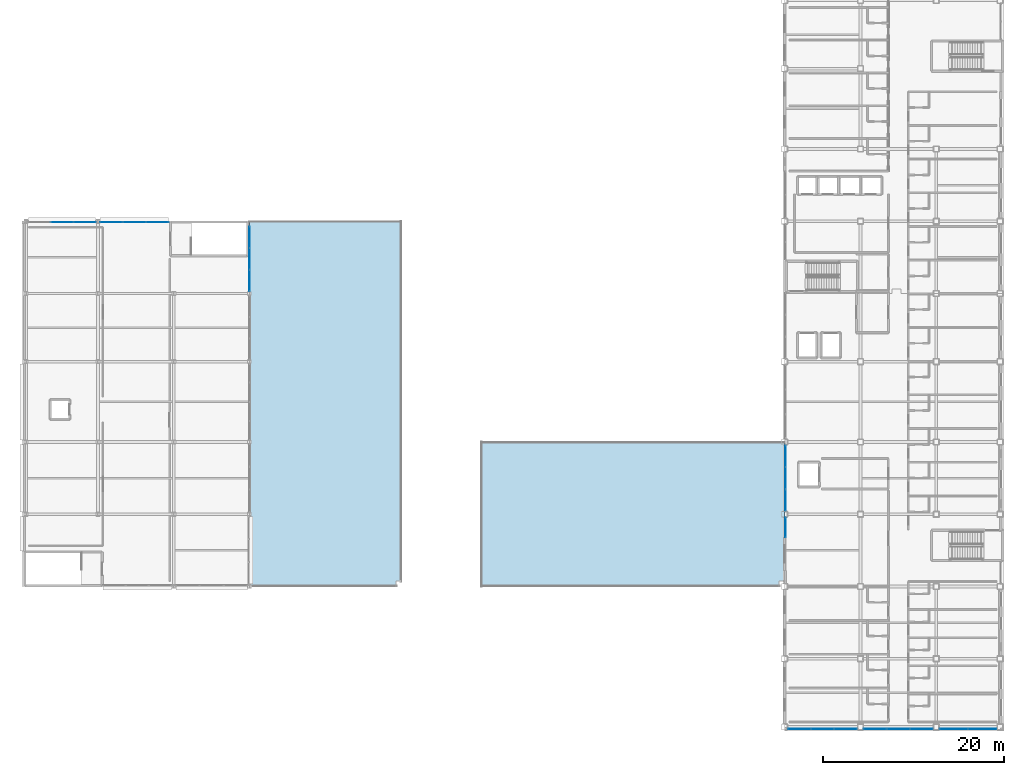
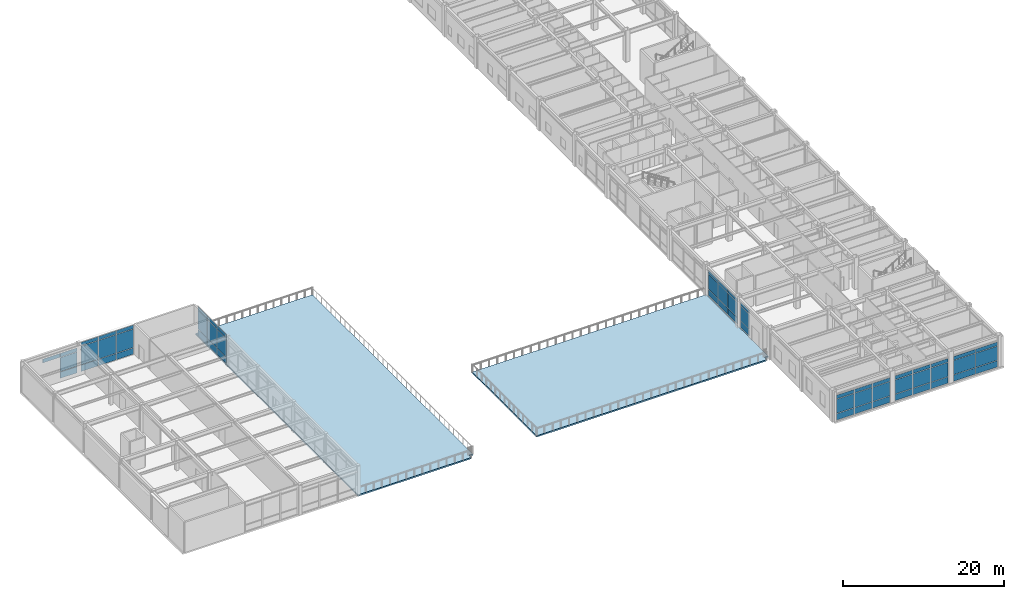
# One storey, part 45 of 61: 58 plates, 2 slabs, 8 elements without a shape of their own.
"""IFC4 building model written with IfcOpenShell, lengths in metres."""

from ifc_helpers import new_model, si_unit, direction, frame, origin, origin_2d, place, context, subcontext, project, spatial, polyline, rectangle, outline, extrude, material, layer, layer_set, type_object, element, aggregate, save


model = new_model("IFC4")

# Units and contexts
model_context = context("Model", 3, precision=1e-05, world=origin(), true_north=direction((0.0, 1.0)))
body_context = subcontext(model_context, "Body", "Model", "MODEL_VIEW")
ifc_project = project(units=[si_unit("LENGTHUNIT", "METRE"), si_unit("AREAUNIT", "SQUARE_METRE"), si_unit("VOLUMEUNIT", "CUBIC_METRE"), si_unit("PLANEANGLEUNIT", "RADIAN"), si_unit("MASSUNIT", "GRAM", prefix="KILO")], contexts=[model_context])

# Site, building, storey
site_placement = place(None, origin())
site = spatial("IfcSite", under=ifc_project, at=site_placement, CompositionType="ELEMENT")
building_placement = place(site_placement, origin())
building = spatial("IfcBuilding", under=site, at=building_placement, Name="Kazehara Bluff Congress Hotel", CompositionType="ELEMENT")
storey_placement = place(building_placement, frame((0.0, 0.0, 19.800048828125)))
storey = spatial("IfcBuildingStorey", under=building, at=storey_placement, Name="L04", CompositionType="ELEMENT", Elevation=19.800048828125)

# Curtain wall, plates
ifc_material_1 = material(Name="Anodised aluminium", Category="aluminium")
ifc_layer_1 = layer(ifc_material_1, 0.159912109375)
ifc_layer_set_1 = layer_set([ifc_layer_1], Name="Anodised aluminium")
curtain_wall_type_1 = type_object("IfcCurtainWallType", Name="TP-CW-156", PredefinedType="NOTDEFINED", material=ifc_layer_set_1)
curtain_wall_1_placement = place(storey_placement, origin())
curtain_wall_1 = element("IfcCurtainWall", 1, at=curtain_wall_1_placement, inside=storey, type_object=curtain_wall_type_1, Name="L04 curtain wall CW-156 CW-ENC-V4-L04-6368-5635", PredefinedType="NOTDEFINED")
ifc_material_2 = material(Name="Insulated low-E double glazing", Category="glass")
ifc_layer_2 = layer(ifc_material_2, 0.028076171875)
ifc_layer_set_2 = layer_set([ifc_layer_2], Name="Insulated low-E double glazing")
plate_type_1 = type_object("IfcPlateType", Name="TP-CWP-01", PredefinedType="CURTAIN_PANEL", material=ifc_layer_set_2)
plate_1_placement = place(storey_placement, frame((63.675048828125, 56.35009765625, 3.28759765625), z_axis=(0.0, 0.0, 1.0), x_axis=(1.0, 0.0, 0.0)))
plate_1 = element("IfcPlate", 2, at=plate_1_placement, type_object=plate_type_1, Name="CW-156 panel 2.3", PredefinedType="CURTAIN_PANEL", context=body_context, shape_type="SweptSolid", body=[
    extrude(rectangle(XDim=2.45166015625, YDim=0.028076171875, at=origin_2d()), origin(), (0.0, 0.0, 1.0), 0.552490234375),
])
plate_2_placement = place(storey_placement, frame((66.175537109375, 56.35009765625, 0.06494140625), z_axis=(0.0, 0.0, 1.0), x_axis=(1.0, 0.0, 0.0)))
plate_2 = element("IfcPlate", 3, at=plate_2_placement, type_object=plate_type_1, Name="CW-156 panel 3.1", PredefinedType="CURTAIN_PANEL", context=body_context, shape_type="SweptSolid", body=[
    extrude(rectangle(XDim=2.419189453125, YDim=0.028076171875, at=origin_2d()), origin(), (0.0, 0.0, 1.0), 0.952392578125),
])
plate_3_placement = place(storey_placement, frame((66.175537109375, 56.35009765625, 1.08251953125), z_axis=(0.0, 0.0, 1.0), x_axis=(1.0, 0.0, 0.0)))
plate_3 = element("IfcPlate", 4, at=plate_3_placement, type_object=plate_type_1, Name="CW-156 panel 3.2", PredefinedType="CURTAIN_PANEL", context=body_context, shape_type="SweptSolid", body=[
    extrude(rectangle(XDim=2.419189453125, YDim=0.028076171875, at=origin_2d()), origin(), (0.0, 0.0, 1.0), 2.139892578125),
])
plate_4_placement = place(storey_placement, frame((66.175537109375, 56.35009765625, 3.28759765625), z_axis=(0.0, 0.0, 1.0), x_axis=(1.0, 0.0, 0.0)))
plate_4 = element("IfcPlate", 5, at=plate_4_placement, type_object=plate_type_1, Name="CW-156 panel 3.3", PredefinedType="CURTAIN_PANEL", context=body_context, shape_type="SweptSolid", body=[
    extrude(rectangle(XDim=2.419189453125, YDim=0.028076171875, at=origin_2d()), origin(), (0.0, 0.0, 1.0), 0.552490234375),
])
aggregate(curtain_wall_1, [plate_1, plate_2, plate_3, plate_4])

ifc_material_3 = material(Name="Anodised aluminium", Category="aluminium")
ifc_layer_3 = layer(ifc_material_3, 0.159912109375)
ifc_layer_set_3 = layer_set([ifc_layer_3], Name="Anodised aluminium")
curtain_wall_type_2 = type_object("IfcCurtainWallType", Name="TP-CW-158", PredefinedType="NOTDEFINED", material=ifc_layer_set_3)
curtain_wall_2_placement = place(storey_placement, origin())
curtain_wall_2 = element("IfcCurtainWall", 6, at=curtain_wall_2_placement, inside=storey, type_object=curtain_wall_type_2, Name="L04 curtain wall CW-158 CW-ENC-V5-L04-14790-22", PredefinedType="NOTDEFINED")
plate_5_placement = place(storey_placement, frame((150.467041015625, 0.219970703125, 0.06494140625), z_axis=(0.0, 0.0, 1.0), x_axis=(-1.0, 0.0, 0.0)))
plate_5 = element("IfcPlate", 7, at=plate_5_placement, type_object=plate_type_1, Name="CW-158 panel 1.1", PredefinedType="CURTAIN_PANEL", context=body_context, shape_type="SweptSolid", body=[
    extrude(rectangle(XDim=2.48583984375, YDim=0.028076171875, at=origin_2d()), origin(), (0.0, 0.0, 1.0), 0.952392578125),
])
plate_6_placement = place(storey_placement, frame((150.467041015625, 0.219970703125, 1.08251953125), z_axis=(0.0, 0.0, 1.0), x_axis=(-1.0, 0.0, 0.0)))
plate_6 = element("IfcPlate", 8, at=plate_6_placement, type_object=plate_type_1, Name="CW-158 panel 1.2", PredefinedType="CURTAIN_PANEL", context=body_context, shape_type="SweptSolid", body=[
    extrude(rectangle(XDim=2.48583984375, YDim=0.028076171875, at=origin_2d()), origin(), (0.0, 0.0, 1.0), 2.139892578125),
])
plate_7_placement = place(storey_placement, frame((150.467041015625, 0.219970703125, 3.28759765625), z_axis=(0.0, 0.0, 1.0), x_axis=(-1.0, 0.0, 0.0)))
plate_7 = element("IfcPlate", 9, at=plate_7_placement, type_object=plate_type_1, Name="CW-158 panel 1.3", PredefinedType="CURTAIN_PANEL", context=body_context, shape_type="SweptSolid", body=[
    extrude(rectangle(XDim=2.48583984375, YDim=0.028076171875, at=origin_2d()), origin(), (0.0, 0.0, 1.0), 0.552490234375),
])
plate_8_placement = place(storey_placement, frame((147.89990234375, 0.219970703125, 0.06494140625), z_axis=(0.0, 0.0, 1.0), x_axis=(-1.0, 0.0, 0.0)))
plate_8 = element("IfcPlate", 10, at=plate_8_placement, type_object=plate_type_1, Name="CW-158 panel 2.1", PredefinedType="CURTAIN_PANEL", context=body_context, shape_type="SweptSolid", body=[
    extrude(rectangle(XDim=2.518310546875, YDim=0.028076171875, at=origin_2d()), origin(), (0.0, 0.0, 1.0), 0.952392578125),
])
plate_9_placement = place(storey_placement, frame((147.89990234375, 0.219970703125, 1.08251953125), z_axis=(0.0, 0.0, 1.0), x_axis=(-1.0, 0.0, 0.0)))
plate_9 = element("IfcPlate", 11, at=plate_9_placement, type_object=plate_type_1, Name="CW-158 panel 2.2", PredefinedType="CURTAIN_PANEL", context=body_context, shape_type="SweptSolid", body=[
    extrude(rectangle(XDim=2.518310546875, YDim=0.028076171875, at=origin_2d()), origin(), (0.0, 0.0, 1.0), 2.139892578125),
])
plate_10_placement = place(storey_placement, frame((147.89990234375, 0.219970703125, 3.28759765625), z_axis=(0.0, 0.0, 1.0), x_axis=(-1.0, 0.0, 0.0)))
plate_10 = element("IfcPlate", 12, at=plate_10_placement, type_object=plate_type_1, Name="CW-158 panel 2.3", PredefinedType="CURTAIN_PANEL", context=body_context, shape_type="SweptSolid", body=[
    extrude(rectangle(XDim=2.518310546875, YDim=0.028076171875, at=origin_2d()), origin(), (0.0, 0.0, 1.0), 0.552490234375),
])
plate_11_placement = place(storey_placement, frame((145.3330078125, 0.219970703125, 0.06494140625), z_axis=(0.0, 0.0, 1.0), x_axis=(-1.0, 0.0, 0.0)))
plate_11 = element("IfcPlate", 13, at=plate_11_placement, type_object=plate_type_1, Name="CW-158 panel 3.1", PredefinedType="CURTAIN_PANEL", context=body_context, shape_type="SweptSolid", body=[
    extrude(rectangle(XDim=2.48583984375, YDim=0.028076171875, at=origin_2d()), origin(), (0.0, 0.0, 1.0), 0.952392578125),
])
plate_12_placement = place(storey_placement, frame((145.3330078125, 0.219970703125, 1.08251953125), z_axis=(0.0, 0.0, 1.0), x_axis=(-1.0, 0.0, 0.0)))
plate_12 = element("IfcPlate", 14, at=plate_12_placement, type_object=plate_type_1, Name="CW-158 panel 3.2", PredefinedType="CURTAIN_PANEL", context=body_context, shape_type="SweptSolid", body=[
    extrude(rectangle(XDim=2.48583984375, YDim=0.028076171875, at=origin_2d()), origin(), (0.0, 0.0, 1.0), 2.139892578125),
])
plate_13_placement = place(storey_placement, frame((145.3330078125, 0.219970703125, 3.28759765625), z_axis=(0.0, 0.0, 1.0), x_axis=(-1.0, 0.0, 0.0)))
plate_13 = element("IfcPlate", 15, at=plate_13_placement, type_object=plate_type_1, Name="CW-158 panel 3.3", PredefinedType="CURTAIN_PANEL", context=body_context, shape_type="SweptSolid", body=[
    extrude(rectangle(XDim=2.48583984375, YDim=0.028076171875, at=origin_2d()), origin(), (0.0, 0.0, 1.0), 0.552490234375),
])
aggregate(curtain_wall_2, [plate_5, plate_6, plate_7, plate_8, plate_9, plate_10, plate_11, plate_12, plate_13])

curtain_wall_3_placement = place(storey_placement, origin())
curtain_wall_3 = element("IfcCurtainWall", 16, at=curtain_wall_3_placement, inside=storey, type_object=curtain_wall_type_2, Name="L04 curtain wall CW-158 CW-ENC-V5-L04-15630-22", PredefinedType="NOTDEFINED")
plate_14_placement = place(storey_placement, frame((158.8671875, 0.219970703125, 0.06494140625), z_axis=(0.0, 0.0, 1.0), x_axis=(-1.0, 0.0, 0.0)))
plate_14 = element("IfcPlate", 17, at=plate_14_placement, type_object=plate_type_1, Name="CW-158 panel 1.1", PredefinedType="CURTAIN_PANEL", context=body_context, shape_type="SweptSolid", body=[
    extrude(rectangle(XDim=2.48583984375, YDim=0.028076171875, at=origin_2d()), origin(), (0.0, 0.0, 1.0), 0.952392578125),
])
plate_15_placement = place(storey_placement, frame((158.8671875, 0.219970703125, 1.08251953125), z_axis=(0.0, 0.0, 1.0), x_axis=(-1.0, 0.0, 0.0)))
plate_15 = element("IfcPlate", 18, at=plate_15_placement, type_object=plate_type_1, Name="CW-158 panel 1.2", PredefinedType="CURTAIN_PANEL", context=body_context, shape_type="SweptSolid", body=[
    extrude(rectangle(XDim=2.48583984375, YDim=0.028076171875, at=origin_2d()), origin(), (0.0, 0.0, 1.0), 2.139892578125),
])
plate_16_placement = place(storey_placement, frame((158.8671875, 0.219970703125, 3.28759765625), z_axis=(0.0, 0.0, 1.0), x_axis=(-1.0, 0.0, 0.0)))
plate_16 = element("IfcPlate", 19, at=plate_16_placement, type_object=plate_type_1, Name="CW-158 panel 1.3", PredefinedType="CURTAIN_PANEL", context=body_context, shape_type="SweptSolid", body=[
    extrude(rectangle(XDim=2.48583984375, YDim=0.028076171875, at=origin_2d()), origin(), (0.0, 0.0, 1.0), 0.552490234375),
])
plate_17_placement = place(storey_placement, frame((156.300048828125, 0.219970703125, 0.06494140625), z_axis=(0.0, 0.0, 1.0), x_axis=(-1.0, 0.0, 0.0)))
plate_17 = element("IfcPlate", 20, at=plate_17_placement, type_object=plate_type_1, Name="CW-158 panel 2.1", PredefinedType="CURTAIN_PANEL", context=body_context, shape_type="SweptSolid", body=[
    extrude(rectangle(XDim=2.518310546875, YDim=0.028076171875, at=origin_2d()), origin(), (0.0, 0.0, 1.0), 0.952392578125),
])
plate_18_placement = place(storey_placement, frame((156.300048828125, 0.219970703125, 1.08251953125), z_axis=(0.0, 0.0, 1.0), x_axis=(-1.0, 0.0, 0.0)))
plate_18 = element("IfcPlate", 21, at=plate_18_placement, type_object=plate_type_1, Name="CW-158 panel 2.2", PredefinedType="CURTAIN_PANEL", context=body_context, shape_type="SweptSolid", body=[
    extrude(rectangle(XDim=2.518310546875, YDim=0.028076171875, at=origin_2d()), origin(), (0.0, 0.0, 1.0), 2.139892578125),
])
plate_19_placement = place(storey_placement, frame((156.300048828125, 0.219970703125, 3.28759765625), z_axis=(0.0, 0.0, 1.0), x_axis=(-1.0, 0.0, 0.0)))
plate_19 = element("IfcPlate", 22, at=plate_19_placement, type_object=plate_type_1, Name="CW-158 panel 2.3", PredefinedType="CURTAIN_PANEL", context=body_context, shape_type="SweptSolid", body=[
    extrude(rectangle(XDim=2.518310546875, YDim=0.028076171875, at=origin_2d()), origin(), (0.0, 0.0, 1.0), 0.552490234375),
])
plate_20_placement = place(storey_placement, frame((153.73291015625, 0.219970703125, 0.06494140625), z_axis=(0.0, 0.0, 1.0), x_axis=(-1.0, 0.0, 0.0)))
plate_20 = element("IfcPlate", 23, at=plate_20_placement, type_object=plate_type_1, Name="CW-158 panel 3.1", PredefinedType="CURTAIN_PANEL", context=body_context, shape_type="SweptSolid", body=[
    extrude(rectangle(XDim=2.48583984375, YDim=0.028076171875, at=origin_2d()), origin(), (0.0, 0.0, 1.0), 0.952392578125),
])
plate_21_placement = place(storey_placement, frame((153.73291015625, 0.219970703125, 1.08251953125), z_axis=(0.0, 0.0, 1.0), x_axis=(-1.0, 0.0, 0.0)))
plate_21 = element("IfcPlate", 24, at=plate_21_placement, type_object=plate_type_1, Name="CW-158 panel 3.2", PredefinedType="CURTAIN_PANEL", context=body_context, shape_type="SweptSolid", body=[
    extrude(rectangle(XDim=2.48583984375, YDim=0.028076171875, at=origin_2d()), origin(), (0.0, 0.0, 1.0), 2.139892578125),
])
plate_22_placement = place(storey_placement, frame((153.73291015625, 0.219970703125, 3.28759765625), z_axis=(0.0, 0.0, 1.0), x_axis=(-1.0, 0.0, 0.0)))
plate_22 = element("IfcPlate", 25, at=plate_22_placement, type_object=plate_type_1, Name="CW-158 panel 3.3", PredefinedType="CURTAIN_PANEL", context=body_context, shape_type="SweptSolid", body=[
    extrude(rectangle(XDim=2.48583984375, YDim=0.028076171875, at=origin_2d()), origin(), (0.0, 0.0, 1.0), 0.552490234375),
])
aggregate(curtain_wall_3, [plate_14, plate_15, plate_16, plate_17, plate_18, plate_19, plate_20, plate_21, plate_22])

ifc_material_4 = material(Name="Anodised aluminium", Category="aluminium")
ifc_layer_4 = layer(ifc_material_4, 0.159912109375)
ifc_layer_set_4 = layer_set([ifc_layer_4], Name="Anodised aluminium")
curtain_wall_type_3 = type_object("IfcCurtainWallType", Name="TP-CW-159", PredefinedType="NOTDEFINED", material=ifc_layer_set_4)
curtain_wall_4_placement = place(storey_placement, origin())
curtain_wall_4 = element("IfcCurtainWall", 26, at=curtain_wall_4_placement, inside=storey, type_object=curtain_wall_type_3, Name="L04 curtain wall CW-159 CW-ENC-V5-L04-16402-22", PredefinedType="NOTDEFINED")
plate_23_placement = place(storey_placement, frame((165.610107421875, 0.219970703125, 0.06005859375), z_axis=(0.0, 0.0, 1.0), x_axis=(-1.0, 0.0, 0.0)))
plate_23 = element("IfcPlate", 27, at=plate_23_placement, type_object=plate_type_1, Name="CW-159 panel 1.1", PredefinedType="CURTAIN_PANEL", context=body_context, shape_type="SweptSolid", body=[
    extrude(rectangle(XDim=3.110107421875, YDim=0.028076171875, at=origin_2d()), origin(), (0.0, 0.0, 1.0), 0.9599609375),
])
plate_24_placement = place(storey_placement, frame((165.610107421875, 0.219970703125, 1.079833984375), z_axis=(0.0, 0.0, 1.0), x_axis=(-1.0, 0.0, 0.0)))
plate_24 = element("IfcPlate", 28, at=plate_24_placement, type_object=plate_type_1, Name="CW-159 panel 1.2", PredefinedType="CURTAIN_PANEL", context=body_context, shape_type="SweptSolid", body=[
    extrude(rectangle(XDim=3.110107421875, YDim=0.028076171875, at=origin_2d()), origin(), (0.0, 0.0, 1.0), 2.14501953125),
])
plate_25_placement = place(storey_placement, frame((165.610107421875, 0.219970703125, 3.284912109375), z_axis=(0.0, 0.0, 1.0), x_axis=(-1.0, 0.0, 0.0)))
plate_25 = element("IfcPlate", 29, at=plate_25_placement, type_object=plate_type_1, Name="CW-159 panel 1.3", PredefinedType="CURTAIN_PANEL", context=body_context, shape_type="SweptSolid", body=[
    extrude(rectangle(XDim=3.110107421875, YDim=0.028076171875, at=origin_2d()), origin(), (0.0, 0.0, 1.0), 0.56005859375),
])
plate_26_placement = place(storey_placement, frame((162.43994140625, 0.219970703125, 0.06005859375), z_axis=(0.0, 0.0, 1.0), x_axis=(-1.0, 0.0, 0.0)))
plate_26 = element("IfcPlate", 30, at=plate_26_placement, type_object=plate_type_1, Name="CW-159 panel 2.1", PredefinedType="CURTAIN_PANEL", context=body_context, shape_type="SweptSolid", body=[
    extrude(rectangle(XDim=3.110107421875, YDim=0.028076171875, at=origin_2d()), origin(), (0.0, 0.0, 1.0), 0.9599609375),
])
plate_27_placement = place(storey_placement, frame((162.43994140625, 0.219970703125, 1.079833984375), z_axis=(0.0, 0.0, 1.0), x_axis=(-1.0, 0.0, 0.0)))
plate_27 = element("IfcPlate", 31, at=plate_27_placement, type_object=plate_type_1, Name="CW-159 panel 2.2", PredefinedType="CURTAIN_PANEL", context=body_context, shape_type="SweptSolid", body=[
    extrude(rectangle(XDim=3.110107421875, YDim=0.028076171875, at=origin_2d()), origin(), (0.0, 0.0, 1.0), 2.14501953125),
])
plate_28_placement = place(storey_placement, frame((162.43994140625, 0.219970703125, 3.284912109375), z_axis=(0.0, 0.0, 1.0), x_axis=(-1.0, 0.0, 0.0)))
plate_28 = element("IfcPlate", 32, at=plate_28_placement, type_object=plate_type_1, Name="CW-159 panel 2.3", PredefinedType="CURTAIN_PANEL", context=body_context, shape_type="SweptSolid", body=[
    extrude(rectangle(XDim=3.110107421875, YDim=0.028076171875, at=origin_2d()), origin(), (0.0, 0.0, 1.0), 0.56005859375),
])
aggregate(curtain_wall_4, [plate_23, plate_24, plate_25, plate_26, plate_27, plate_28])

ifc_material_5 = material(Name="Anodised aluminium", Category="aluminium")
ifc_layer_5 = layer(ifc_material_5, 0.159912109375)
ifc_layer_set_5 = layer_set([ifc_layer_5], Name="Anodised aluminium")
curtain_wall_type_4 = type_object("IfcCurtainWallType", Name="TP-CW-166", PredefinedType="NOTDEFINED", material=ifc_layer_set_5)
curtain_wall_5_placement = place(storey_placement, origin())
curtain_wall_5 = element("IfcCurtainWall", 33, at=curtain_wall_5_placement, inside=storey, type_object=curtain_wall_type_4, Name="L04 curtain wall CW-166 CW-ENC-V5-L04-14380-2800", PredefinedType="NOTDEFINED")
plate_29_placement = place(storey_placement, frame((143.800048828125, 25.566162109375, 0.06494140625), z_axis=(0.0, 0.0, 1.0), x_axis=(0.0, 1.0, 0.0)))
plate_29 = element("IfcPlate", 34, at=plate_29_placement, type_object=plate_type_1, Name="CW-166 panel 1.1", PredefinedType="CURTAIN_PANEL", context=body_context, shape_type="SweptSolid", body=[
    extrude(rectangle(XDim=2.3525390625, YDim=0.028076171875, at=origin_2d()), origin(), (0.0, 0.0, 1.0), 0.952392578125),
])
plate_30_placement = place(storey_placement, frame((143.800048828125, 25.566162109375, 1.08251953125), z_axis=(0.0, 0.0, 1.0), x_axis=(0.0, 1.0, 0.0)))
plate_30 = element("IfcPlate", 35, at=plate_30_placement, type_object=plate_type_1, Name="CW-166 panel 1.2", PredefinedType="CURTAIN_PANEL", context=body_context, shape_type="SweptSolid", body=[
    extrude(rectangle(XDim=2.3525390625, YDim=0.028076171875, at=origin_2d()), origin(), (0.0, 0.0, 1.0), 2.239990234375),
])
plate_31_placement = place(storey_placement, frame((143.800048828125, 25.566162109375, 3.3876953125), z_axis=(0.0, 0.0, 1.0), x_axis=(0.0, 1.0, 0.0)))
plate_31 = element("IfcPlate", 36, at=plate_31_placement, type_object=plate_type_1, Name="CW-166 panel 1.3", PredefinedType="CURTAIN_PANEL", context=body_context, shape_type="SweptSolid", body=[
    extrude(rectangle(XDim=2.3525390625, YDim=0.028076171875, at=origin_2d()), origin(), (0.0, 0.0, 1.0), 0.552490234375),
])
plate_32_placement = place(storey_placement, frame((143.800048828125, 28.0, 0.06494140625), z_axis=(0.0, 0.0, 1.0), x_axis=(0.0, 1.0, 0.0)))
plate_32 = element("IfcPlate", 37, at=plate_32_placement, type_object=plate_type_1, Name="CW-166 panel 2.1", PredefinedType="CURTAIN_PANEL", context=body_context, shape_type="SweptSolid", body=[
    extrude(rectangle(XDim=2.385009765625, YDim=0.028076171875, at=origin_2d()), origin(), (0.0, 0.0, 1.0), 0.952392578125),
])
plate_33_placement = place(storey_placement, frame((143.800048828125, 28.0, 1.08251953125), z_axis=(0.0, 0.0, 1.0), x_axis=(0.0, 1.0, 0.0)))
plate_33 = element("IfcPlate", 38, at=plate_33_placement, type_object=plate_type_1, Name="CW-166 panel 2.2", PredefinedType="CURTAIN_PANEL", context=body_context, shape_type="SweptSolid", body=[
    extrude(rectangle(XDim=2.385009765625, YDim=0.028076171875, at=origin_2d()), origin(), (0.0, 0.0, 1.0), 2.239990234375),
])
plate_34_placement = place(storey_placement, frame((143.800048828125, 28.0, 3.3876953125), z_axis=(0.0, 0.0, 1.0), x_axis=(0.0, 1.0, 0.0)))
plate_34 = element("IfcPlate", 39, at=plate_34_placement, type_object=plate_type_1, Name="CW-166 panel 2.3", PredefinedType="CURTAIN_PANEL", context=body_context, shape_type="SweptSolid", body=[
    extrude(rectangle(XDim=2.385009765625, YDim=0.028076171875, at=origin_2d()), origin(), (0.0, 0.0, 1.0), 0.552490234375),
])
plate_35_placement = place(storey_placement, frame((143.800048828125, 30.433837890625, 0.06494140625), z_axis=(0.0, 0.0, 1.0), x_axis=(0.0, 1.0, 0.0)))
plate_35 = element("IfcPlate", 40, at=plate_35_placement, type_object=plate_type_1, Name="CW-166 panel 3.1", PredefinedType="CURTAIN_PANEL", context=body_context, shape_type="SweptSolid", body=[
    extrude(rectangle(XDim=2.3525390625, YDim=0.028076171875, at=origin_2d()), origin(), (0.0, 0.0, 1.0), 0.952392578125),
])
plate_36_placement = place(storey_placement, frame((143.800048828125, 30.433837890625, 1.08251953125), z_axis=(0.0, 0.0, 1.0), x_axis=(0.0, 1.0, 0.0)))
plate_36 = element("IfcPlate", 41, at=plate_36_placement, type_object=plate_type_1, Name="CW-166 panel 3.2", PredefinedType="CURTAIN_PANEL", context=body_context, shape_type="SweptSolid", body=[
    extrude(rectangle(XDim=2.3525390625, YDim=0.028076171875, at=origin_2d()), origin(), (0.0, 0.0, 1.0), 2.239990234375),
])
plate_37_placement = place(storey_placement, frame((143.800048828125, 30.433837890625, 3.3876953125), z_axis=(0.0, 0.0, 1.0), x_axis=(0.0, 1.0, 0.0)))
plate_37 = element("IfcPlate", 42, at=plate_37_placement, type_object=plate_type_1, Name="CW-166 panel 3.3", PredefinedType="CURTAIN_PANEL", context=body_context, shape_type="SweptSolid", body=[
    extrude(rectangle(XDim=2.3525390625, YDim=0.028076171875, at=origin_2d()), origin(), (0.0, 0.0, 1.0), 0.552490234375),
])
aggregate(curtain_wall_5, [plate_29, plate_30, plate_31, plate_32, plate_33, plate_34, plate_35, plate_36, plate_37])

ifc_material_6 = material(Name="Anodised aluminium", Category="aluminium")
ifc_layer_6 = layer(ifc_material_6, 0.159912109375)
ifc_layer_set_6 = layer_set([ifc_layer_6], Name="Anodised aluminium")
curtain_wall_type_5 = type_object("IfcCurtainWallType", Name="TP-CW-66", PredefinedType="NOTDEFINED", material=ifc_layer_set_6)
curtain_wall_6_placement = place(storey_placement, origin())
curtain_wall_6 = element("IfcCurtainWall", 43, at=curtain_wall_6_placement, inside=storey, type_object=curtain_wall_type_5, Name="L04 curtain wall CW-66 CW-V4-L04-X8445-4865", PredefinedType="NOTDEFINED")
ifc_material_7 = material(Name="Insulated low-E double glazing", Category="glass")
ifc_layer_7 = layer(ifc_material_7, 0.031982421875)
ifc_layer_set_7 = layer_set([ifc_layer_7], Name="Insulated low-E double glazing")
plate_type_2 = type_object("IfcPlateType", Name="TP-CWP-02", PredefinedType="CURTAIN_PANEL", material=ifc_layer_set_7)
plate_38_placement = place(storey_placement, frame((84.449951171875, 49.875732421875, 0.06494140625), z_axis=(0.0, 0.0, 1.0), x_axis=(0.0, 1.0, 0.0)))
plate_38 = element("IfcPlate", 44, at=plate_38_placement, type_object=plate_type_2, Name="CW-66 panel 1.1", PredefinedType="CURTAIN_PANEL", context=body_context, shape_type="SweptSolid", body=[
    extrude(rectangle(XDim=2.311767578125, YDim=0.031982421875, at=origin_2d()), origin(), (0.0, 0.0, 1.0), 0.952392578125),
])
plate_39_placement = place(storey_placement, frame((84.449951171875, 49.875732421875, 1.08251953125), z_axis=(0.0, 0.0, 1.0), x_axis=(0.0, 1.0, 0.0)))
plate_39 = element("IfcPlate", 45, at=plate_39_placement, type_object=plate_type_2, Name="CW-66 panel 1.2", PredefinedType="CURTAIN_PANEL", context=body_context, shape_type="SweptSolid", body=[
    extrude(rectangle(XDim=2.311767578125, YDim=0.031982421875, at=origin_2d()), origin(), (0.0, 0.0, 1.0), 2.800048828125),
])
plate_40_placement = place(storey_placement, frame((84.449951171875, 49.875732421875, 3.947265625), z_axis=(0.0, 0.0, 1.0), x_axis=(0.0, 1.0, 0.0)))
plate_40 = element("IfcPlate", 46, at=plate_40_placement, type_object=plate_type_2, Name="CW-66 panel 1.3", PredefinedType="CURTAIN_PANEL", context=body_context, shape_type="SweptSolid", body=[
    extrude(rectangle(XDim=2.311767578125, YDim=0.031982421875, at=origin_2d()), origin(), (0.0, 0.0, 1.0), 0.552490234375),
])
plate_41_placement = place(storey_placement, frame((84.449951171875, 52.27490234375, 0.06494140625), z_axis=(0.0, 0.0, 1.0), x_axis=(0.0, 1.0, 0.0)))
plate_41 = element("IfcPlate", 47, at=plate_41_placement, type_object=plate_type_2, Name="CW-66 panel 2.1", PredefinedType="CURTAIN_PANEL", context=body_context, shape_type="SweptSolid", body=[
    extrude(rectangle(XDim=2.3466796875, YDim=0.031982421875, at=origin_2d()), origin(), (0.0, 0.0, 1.0), 0.952392578125),
])
plate_42_placement = place(storey_placement, frame((84.449951171875, 52.27490234375, 1.08251953125), z_axis=(0.0, 0.0, 1.0), x_axis=(0.0, 1.0, 0.0)))
plate_42 = element("IfcPlate", 48, at=plate_42_placement, type_object=plate_type_2, Name="CW-66 panel 2.2", PredefinedType="CURTAIN_PANEL", context=body_context, shape_type="SweptSolid", body=[
    extrude(rectangle(XDim=2.3466796875, YDim=0.031982421875, at=origin_2d()), origin(), (0.0, 0.0, 1.0), 2.800048828125),
])
plate_43_placement = place(storey_placement, frame((84.449951171875, 52.27490234375, 3.947265625), z_axis=(0.0, 0.0, 1.0), x_axis=(0.0, 1.0, 0.0)))
plate_43 = element("IfcPlate", 49, at=plate_43_placement, type_object=plate_type_2, Name="CW-66 panel 2.3", PredefinedType="CURTAIN_PANEL", context=body_context, shape_type="SweptSolid", body=[
    extrude(rectangle(XDim=2.3466796875, YDim=0.031982421875, at=origin_2d()), origin(), (0.0, 0.0, 1.0), 0.552490234375),
])
plate_44_placement = place(storey_placement, frame((84.449951171875, 54.674072265625, 0.06494140625), z_axis=(0.0, 0.0, 1.0), x_axis=(0.0, 1.0, 0.0)))
plate_44 = element("IfcPlate", 50, at=plate_44_placement, type_object=plate_type_2, Name="CW-66 panel 3.1", PredefinedType="CURTAIN_PANEL", context=body_context, shape_type="SweptSolid", body=[
    extrude(rectangle(XDim=2.311767578125, YDim=0.031982421875, at=origin_2d()), origin(), (0.0, 0.0, 1.0), 0.952392578125),
])
plate_45_placement = place(storey_placement, frame((84.449951171875, 54.674072265625, 1.08251953125), z_axis=(0.0, 0.0, 1.0), x_axis=(0.0, 1.0, 0.0)))
plate_45 = element("IfcPlate", 51, at=plate_45_placement, type_object=plate_type_2, Name="CW-66 panel 3.2", PredefinedType="CURTAIN_PANEL", context=body_context, shape_type="SweptSolid", body=[
    extrude(rectangle(XDim=2.311767578125, YDim=0.031982421875, at=origin_2d()), origin(), (0.0, 0.0, 1.0), 2.800048828125),
])
plate_46_placement = place(storey_placement, frame((84.449951171875, 54.674072265625, 3.947265625), z_axis=(0.0, 0.0, 1.0), x_axis=(0.0, 1.0, 0.0)))
plate_46 = element("IfcPlate", 52, at=plate_46_placement, type_object=plate_type_2, Name="CW-66 panel 3.3", PredefinedType="CURTAIN_PANEL", context=body_context, shape_type="SweptSolid", body=[
    extrude(rectangle(XDim=2.311767578125, YDim=0.031982421875, at=origin_2d()), origin(), (0.0, 0.0, 1.0), 0.552490234375),
])
aggregate(curtain_wall_6, [plate_38, plate_39, plate_40, plate_41, plate_42, plate_43, plate_44, plate_45, plate_46])

ifc_material_8 = material(Name="Anodised aluminium", Category="aluminium")
ifc_layer_8 = layer(ifc_material_8, 0.159912109375)
ifc_layer_set_8 = layer_set([ifc_layer_8], Name="Anodised aluminium")
curtain_wall_type_6 = type_object("IfcCurtainWallType", Name="TP-CW-157", PredefinedType="NOTDEFINED", material=ifc_layer_set_8)
curtain_wall_7_placement = place(storey_placement, origin())
curtain_wall_7 = element("IfcCurtainWall", 53, at=curtain_wall_7_placement, inside=storey, type_object=curtain_wall_type_6, Name="L04 curtain wall CW-157 CW-ENC-V4-L04-7169-5635", PredefinedType="NOTDEFINED")
plate_47_placement = place(storey_placement, frame((69.149169921875, 56.35009765625, 0.06494140625), z_axis=(0.0, 0.0, 1.0), x_axis=(1.0, 0.0, 0.0)))
plate_47 = element("IfcPlate", 54, at=plate_47_placement, type_object=plate_type_2, Name="CW-157 panel 1.1", PredefinedType="CURTAIN_PANEL", context=body_context, shape_type="SweptSolid", body=[
    extrude(rectangle(XDim=2.458251953125, YDim=0.031982421875, at=origin_2d()), origin(), (0.0, 0.0, 1.0), 0.952392578125),
])
plate_48_placement = place(storey_placement, frame((69.149169921875, 56.35009765625, 1.08251953125), z_axis=(0.0, 0.0, 1.0), x_axis=(1.0, 0.0, 0.0)))
plate_48 = element("IfcPlate", 55, at=plate_48_placement, type_object=plate_type_2, Name="CW-157 panel 1.2", PredefinedType="CURTAIN_PANEL", context=body_context, shape_type="SweptSolid", body=[
    extrude(rectangle(XDim=2.458251953125, YDim=0.031982421875, at=origin_2d()), origin(), (0.0, 0.0, 1.0), 2.800048828125),
])
plate_49_placement = place(storey_placement, frame((69.149169921875, 56.35009765625, 3.947265625), z_axis=(0.0, 0.0, 1.0), x_axis=(1.0, 0.0, 0.0)))
plate_49 = element("IfcPlate", 56, at=plate_49_placement, type_object=plate_type_2, Name="CW-157 panel 1.3", PredefinedType="CURTAIN_PANEL", context=body_context, shape_type="SweptSolid", body=[
    extrude(rectangle(XDim=2.458251953125, YDim=0.031982421875, at=origin_2d()), origin(), (0.0, 0.0, 1.0), 0.552490234375),
])
plate_50_placement = place(storey_placement, frame((71.695068359375, 56.35009765625, 0.06494140625), z_axis=(0.0, 0.0, 1.0), x_axis=(1.0, 0.0, 0.0)))
plate_50 = element("IfcPlate", 57, at=plate_50_placement, type_object=plate_type_2, Name="CW-157 panel 2.1", PredefinedType="CURTAIN_PANEL", context=body_context, shape_type="SweptSolid", body=[
    extrude(rectangle(XDim=2.493408203125, YDim=0.031982421875, at=origin_2d()), origin(), (0.0, 0.0, 1.0), 0.952392578125),
])
plate_51_placement = place(storey_placement, frame((71.695068359375, 56.35009765625, 1.08251953125), z_axis=(0.0, 0.0, 1.0), x_axis=(1.0, 0.0, 0.0)))
plate_51 = element("IfcPlate", 58, at=plate_51_placement, type_object=plate_type_2, Name="CW-157 panel 2.2", PredefinedType="CURTAIN_PANEL", context=body_context, shape_type="SweptSolid", body=[
    extrude(rectangle(XDim=2.493408203125, YDim=0.031982421875, at=origin_2d()), origin(), (0.0, 0.0, 1.0), 2.800048828125),
])
plate_52_placement = place(storey_placement, frame((71.695068359375, 56.35009765625, 3.947265625), z_axis=(0.0, 0.0, 1.0), x_axis=(1.0, 0.0, 0.0)))
plate_52 = element("IfcPlate", 59, at=plate_52_placement, type_object=plate_type_2, Name="CW-157 panel 2.3", PredefinedType="CURTAIN_PANEL", context=body_context, shape_type="SweptSolid", body=[
    extrude(rectangle(XDim=2.493408203125, YDim=0.031982421875, at=origin_2d()), origin(), (0.0, 0.0, 1.0), 0.552490234375),
])
plate_53_placement = place(storey_placement, frame((74.24072265625, 56.35009765625, 0.06494140625), z_axis=(0.0, 0.0, 1.0), x_axis=(1.0, 0.0, 0.0)))
plate_53 = element("IfcPlate", 60, at=plate_53_placement, type_object=plate_type_2, Name="CW-157 panel 3.1", PredefinedType="CURTAIN_PANEL", context=body_context, shape_type="SweptSolid", body=[
    extrude(rectangle(XDim=2.458251953125, YDim=0.031982421875, at=origin_2d()), origin(), (0.0, 0.0, 1.0), 0.952392578125),
])
plate_54_placement = place(storey_placement, frame((74.24072265625, 56.35009765625, 1.08251953125), z_axis=(0.0, 0.0, 1.0), x_axis=(1.0, 0.0, 0.0)))
plate_54 = element("IfcPlate", 61, at=plate_54_placement, type_object=plate_type_2, Name="CW-157 panel 3.2", PredefinedType="CURTAIN_PANEL", context=body_context, shape_type="SweptSolid", body=[
    extrude(rectangle(XDim=2.458251953125, YDim=0.031982421875, at=origin_2d()), origin(), (0.0, 0.0, 1.0), 2.800048828125),
])
plate_55_placement = place(storey_placement, frame((74.24072265625, 56.35009765625, 3.947265625), z_axis=(0.0, 0.0, 1.0), x_axis=(1.0, 0.0, 0.0)))
plate_55 = element("IfcPlate", 62, at=plate_55_placement, type_object=plate_type_2, Name="CW-157 panel 3.3", PredefinedType="CURTAIN_PANEL", context=body_context, shape_type="SweptSolid", body=[
    extrude(rectangle(XDim=2.458251953125, YDim=0.031982421875, at=origin_2d()), origin(), (0.0, 0.0, 1.0), 0.552490234375),
])
aggregate(curtain_wall_7, [plate_47, plate_48, plate_49, plate_50, plate_51, plate_52, plate_53, plate_54, plate_55])

ifc_material_9 = material(Name="Anodised aluminium", Category="aluminium")
ifc_layer_9 = layer(ifc_material_9, 0.159912109375)
ifc_layer_set_9 = layer_set([ifc_layer_9], Name="Anodised aluminium")
curtain_wall_type_7 = type_object("IfcCurtainWallType", Name="TP-CW-165", PredefinedType="NOTDEFINED", material=ifc_layer_set_9)
curtain_wall_8_placement = place(storey_placement, origin())
curtain_wall_8 = element("IfcCurtainWall", 63, at=curtain_wall_8_placement, inside=storey, type_object=curtain_wall_type_7, Name="L04 curtain wall CW-165 CW-ENC-V5-L04-14380-2254", PredefinedType="NOTDEFINED")
ifc_material_10 = material(Name="Insulated low-E double glazing", Category="glass")
ifc_layer_10 = layer(ifc_material_10, 0.02001953125)
ifc_layer_set_10 = layer_set([ifc_layer_10], Name="Insulated low-E double glazing")
plate_type_3 = type_object("IfcPlateType", Name="TP-CWP-03", PredefinedType="CURTAIN_PANEL", material=ifc_layer_set_10)
plate_56_placement = place(storey_placement, frame((143.800048828125, 22.53759765625, 0.06005859375), z_axis=(0.0, 0.0, 1.0), x_axis=(0.0, 1.0, 0.0)))
plate_56 = element("IfcPlate", 64, at=plate_56_placement, type_object=plate_type_3, Name="CW-165 panel 1.1", PredefinedType="CURTAIN_PANEL", context=body_context, shape_type="SweptSolid", body=[
    extrude(rectangle(XDim=2.155029296875, YDim=0.02001953125, at=origin_2d()), origin(), (0.0, 0.0, 1.0), 0.9599609375),
])
plate_57_placement = place(storey_placement, frame((143.800048828125, 22.53759765625, 1.079833984375), z_axis=(0.0, 0.0, 1.0), x_axis=(0.0, 1.0, 0.0)))
plate_57 = element("IfcPlate", 65, at=plate_57_placement, type_object=plate_type_3, Name="CW-165 panel 1.2", PredefinedType="CURTAIN_PANEL", context=body_context, shape_type="SweptSolid", body=[
    extrude(rectangle(XDim=2.155029296875, YDim=0.02001953125, at=origin_2d()), origin(), (0.0, 0.0, 1.0), 2.2451171875),
])
plate_58_placement = place(storey_placement, frame((143.800048828125, 22.53759765625, 3.385009765625), z_axis=(0.0, 0.0, 1.0), x_axis=(0.0, 1.0, 0.0)))
plate_58 = element("IfcPlate", 66, at=plate_58_placement, type_object=plate_type_3, Name="CW-165 panel 1.3", PredefinedType="CURTAIN_PANEL", context=body_context, shape_type="SweptSolid", body=[
    extrude(rectangle(XDim=2.155029296875, YDim=0.02001953125, at=origin_2d()), origin(), (0.0, 0.0, 1.0), 0.56005859375),
])
aggregate(curtain_wall_8, [plate_56, plate_57, plate_58])

# Slabs
ifc_material_11 = material(Name="Concrete C36/45", Category="concrete")
ifc_layer_11 = layer(ifc_material_11, 0.219970703125)
ifc_layer_set_11 = layer_set([ifc_layer_11], Name="Concrete C36/45")
slab_type = type_object("IfcSlabType", Name="TP-SL-TER", PredefinedType="FLOOR", material=ifc_layer_set_11)
slab_1_placement = place(storey_placement, frame((0.0, 0.0, -0.219970703125)))
element("IfcSlab", 67, at=slab_1_placement, inside=storey, type_object=slab_type, Name="Delegate Bluff Roof Terrace", PredefinedType="FLOOR", context=body_context, shape_type="SweptSolid", body=[
    extrude(outline(polyline([(84.449951171875, 16.0), (100.699951171875, 16.0), (100.699951171875, 16.550048828125), (101.25, 16.550048828125), (101.25, 56.449951171875), (84.449951171875, 56.449951171875), (84.449951171875, 16.0)])), origin(), (0.0, 0.0, 1.0), 0.219970703125),
])
slab_2_placement = place(storey_placement, frame((0.0, 0.0, -0.219970703125)))
element("IfcSlab", 68, at=slab_2_placement, inside=storey, type_object=slab_type, Name="Club Lounge Courtyard Roof Terrace", PredefinedType="FLOOR", context=body_context, shape_type="SweptSolid", body=[
    extrude(outline(polyline([(110.10009765625, 16.0), (143.14990234375, 16.0), (143.14990234375, 16.550048828125), (143.699951171875, 16.550048828125), (143.699951171875, 32.0), (110.10009765625, 32.0), (110.10009765625, 16.0)])), origin(), (0.0, 0.0, 1.0), 0.219970703125),
])

save(model, "model.ifc")
